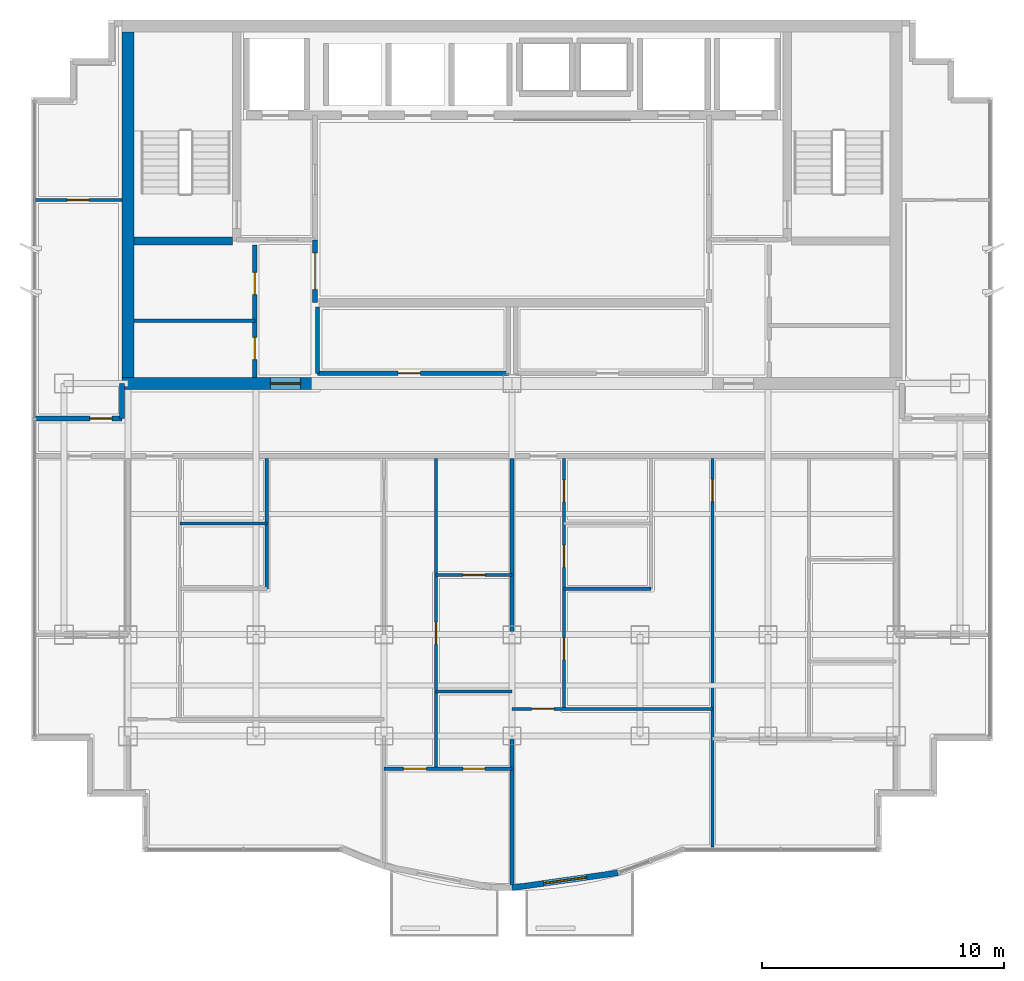
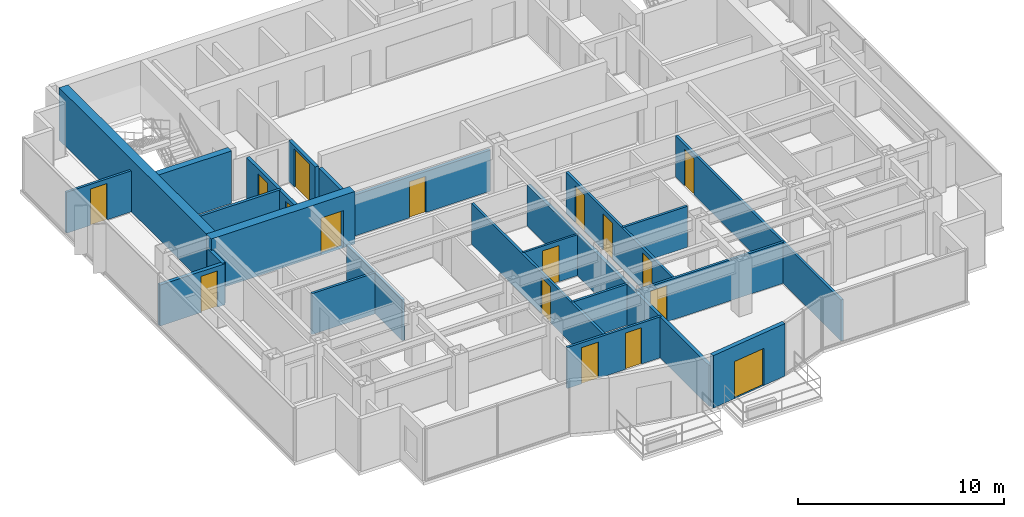
# One storey, part 7 of 12: 23 walls, 17 doors, 17 openings.
"""IFC4 building model written with IfcOpenShell, lengths in metres."""

from ifc_helpers import new_model, si_unit, direction, frame, frame_2d, origin, place, context, subcontext, project, spatial, rectangle, extrude, material, layer, layer_set, type_object, element, fill, save


model = new_model("IFC4")

# Units and contexts
model_context = context("Model", 3, precision=1e-05, world=origin(), true_north=direction((0.0, 1.0)))
body_context = subcontext(model_context, "Body", "Model", "MODEL_VIEW")
ifc_project = project(units=[si_unit("LENGTHUNIT", "METRE"), si_unit("AREAUNIT", "SQUARE_METRE"), si_unit("VOLUMEUNIT", "CUBIC_METRE"), si_unit("PLANEANGLEUNIT", "RADIAN"), si_unit("MASSUNIT", "GRAM", prefix="KILO")], contexts=[model_context])

# Site, building, storey
site_placement = place(None, origin())
site = spatial("IfcSite", under=ifc_project, at=site_placement, CompositionType="ELEMENT")
building_placement = place(site_placement, origin())
building = spatial("IfcBuilding", under=site, at=building_placement, Name="Qianlan Lanfeng Residences", CompositionType="ELEMENT")
storey_placement = place(building_placement, frame((0.0, 0.0, 219.800048828125)))
storey = spatial("IfcBuildingStorey", under=building, at=storey_placement, Name="L60", CompositionType="ELEMENT", Elevation=219.800048828125)

# Walls
ifc_material_1 = material(Name="Concrete C49", Category="concrete")
ifc_layer_1 = layer(ifc_material_1, 0.35009765625)
ifc_layer_set_1 = layer_set([ifc_layer_1], Name="Concrete C49")
wall_type_1 = type_object("IfcWallType", Name="CW-RC-350", PredefinedType="SHEAR", material=ifc_layer_set_1)
wall_1_placement = place(storey_placement, frame((10.85009765625, 31.10009765625, 0.0), z_axis=(0.0, 0.0, 1.0), x_axis=(1.0, 0.0, 0.0)))
element("IfcWall", 1, at=wall_1_placement, inside=storey, type_object=wall_type_1, Name="L60 Core Shear Wall ST1S", PredefinedType="SHEAR", context=body_context, shape_type="SweptSolid", body=[
    extrude(rectangle(XDim=4.074951171875, YDim=0.35009765625, at=frame_2d((2.03759765625, 0.0))), origin(), (0.0, 0.0, 1.0), 3.10986328125),
])
ifc_material_2 = material(Name="Concrete C70", Category="concrete")
ifc_layer_2 = layer(ifc_material_2, 0.5)
ifc_layer_set_2 = layer_set([ifc_layer_2], Name="Concrete C70")
wall_type_2 = type_object("IfcWallType", Name="CW-RC-500", PredefinedType="SHEAR", material=ifc_layer_set_2)
wall_2_placement = place(storey_placement, frame((10.60009765625, 25.449951171875, 0.0), z_axis=(0.0, 0.0, 1.0), x_axis=(0.0, 1.0, 0.0)))
element("IfcWall", 2, at=wall_2_placement, inside=storey, type_object=wall_type_2, Name="L60 Core Shear Wall W", PredefinedType="SHEAR", context=body_context, shape_type="SweptSolid", body=[
    extrude(rectangle(XDim=14.300048828125, YDim=0.5, at=frame_2d((7.14990234375, 0.0))), origin(), (0.0, 0.0, 1.0), 3.10986328125),
])

# Wall, opening, door
wall_3_placement = place(storey_placement, frame((10.35009765625, 25.199951171875, 0.0), z_axis=(0.0, 0.0, 1.0), x_axis=(1.0, 0.0, 0.0)))
wall_3 = element("IfcWall", 3, at=wall_3_placement, inside=storey, type_object=wall_type_2, Name="L60 Core Shear Wall SW", PredefinedType="SHEAR", context=body_context, shape_type="SweptSolid", body=[
    extrude(rectangle(XDim=8.0498046875, YDim=0.5, at=frame_2d((4.02490234375, 0.0))), origin(), (0.0, 0.0, 1.0), 3.10986328125),
])
opening_1_placement = place(wall_3_placement, frame((6.14990234375, 0.0, 0.0)))
opening_1 = element("IfcOpeningElement", 4, at=opening_1_placement, cuts=wall_3, Name="Opening L60-D01", PredefinedType="OPENING", context=body_context, shape_type="SweptSolid", body=[
    extrude(rectangle(XDim=1.25, YDim=2.199951171875, at=frame_2d((0.625, 1.10009765625))), frame((0.0, 0.260009765625, 0.0), z_axis=(0.0, -1.0, 0.0), x_axis=(1.0, 0.0, 0.0)), (0.0, 0.0, 1.0), 0.52001953125),
])
ifc_material_3 = material(Name="Painted Galvanised Steel Fire Door", Category="steel")
door_type_1 = type_object("IfcDoorType", Name="DT-FFL", OperationType="NOTDEFINED", PredefinedType="DOOR", material=ifc_material_3)
door_1_placement = place(opening_1_placement, origin())
door_1 = element("IfcDoor", 5, at=door_1_placement, inside=storey, type_object=door_type_1, Name="L60 West Core Lobby Smoke Door L60-D01 (DT-FFL)", OperationType="SINGLE_SWING_RIGHT", OverallHeight=2.199951171875, OverallWidth=1.25, PredefinedType="DOOR", context=body_context, shape_type="SweptSolid", body=[
    extrude(rectangle(XDim=1.25, YDim=2.199951171875, at=frame_2d((0.625, 1.10009765625))), frame((0.0, 0.02490234375, 0.0), z_axis=(0.0, -1.0, 0.0), x_axis=(1.0, 0.0, 0.0)), (0.0, 0.0, 1.0), 0.050048828125),
])
fill(opening_1, door_1)

ifc_material_4 = material(Name="Concrete C42", Category="concrete")
ifc_layer_3 = layer(ifc_material_4, 0.239990234375)
ifc_layer_set_3 = layer_set([ifc_layer_3], Name="Concrete C42")
wall_type_3 = type_object("IfcWallType", Name="EW-240", PredefinedType="SOLIDWALL", material=ifc_layer_set_3)
wall_4_placement = place(storey_placement, frame((26.5, 4.320068359375, 0.0), z_axis=(0.0, 0.0, 1.0), x_axis=(0.990156470874, 0.139964864115, 0.0)))
wall_4 = element("IfcWall", 6, at=wall_4_placement, inside=storey, type_object=wall_type_3, Name="L60 Terrace/Balcony Access Exterior Wall 8", PredefinedType="SOLIDWALL", context=body_context, shape_type="SweptSolid", body=[
    extrude(rectangle(XDim=4.435791015625, YDim=0.239990234375, at=frame_2d((2.2177734375, 0.0))), origin(), (0.0, 0.0, 1.0), 3.10986328125),
])
opening_2_placement = place(wall_4_placement, frame((1.318115234375, 0.0, 0.0)))
opening_2 = element("IfcOpeningElement", 7, at=opening_2_placement, cuts=wall_4, Name="Opening L60-D-SB-E", PredefinedType="OPENING", context=body_context, shape_type="SweptSolid", body=[
    extrude(rectangle(XDim=1.800048828125, YDim=2.199951171875, at=frame_2d((0.89990234375, 1.10009765625))), frame((0.0, 0.1298828125, 0.0), z_axis=(0.0, -1.0, 0.0), x_axis=(1.0, 0.0, 0.0)), (0.0, 0.0, 1.0), 0.260009765625),
])
ifc_material_5 = material(Name="Anodised Bronze Aluminium Framed Glass", Category="aluminium")
door_type_2 = type_object("IfcDoorType", Name="DT-BAL1", OperationType="NOTDEFINED", PredefinedType="DOOR", material=ifc_material_5)
door_2_placement = place(opening_2_placement, frame((1.800048828125, 0.0, 0.0), z_axis=(0.0, 0.0, 1.0), x_axis=(-1.0, 0.0, 0.0)))
door_2 = element("IfcDoor", 8, at=door_2_placement, inside=storey, type_object=door_type_2, Name="L60 Exterior Access Door SB-E", OperationType="DOUBLE_DOOR_SLIDING", OverallHeight=2.199951171875, OverallWidth=1.800048828125, PredefinedType="DOOR", context=body_context, shape_type="SweptSolid", body=[
    extrude(rectangle(XDim=1.800048828125, YDim=2.199951171875, at=frame_2d((0.89990234375, 1.10009765625))), frame((0.0, 0.02490234375, 0.0), z_axis=(0.0, -1.0, 0.0), x_axis=(1.0, 0.0, 0.0)), (0.0, 0.0, 1.0), 0.050048828125),
])
fill(opening_2, door_2)

ifc_material_6 = material(Name="Demountable Acoustic Framing Partition 110 mm")
ifc_layer_4 = layer(ifc_material_6, 0.110107421875)
ifc_layer_set_4 = layer_set([ifc_layer_4], Name="Demountable Acoustic Framing Partition 110 mm")
wall_type_4 = type_object("IfcWallType", Name="PW-110", PredefinedType="MOVABLE", material=ifc_layer_set_4)
wall_5_placement = place(storey_placement, frame((23.35009765625, 17.27392578125, 0.0), z_axis=(0.0, 0.0, 1.0), x_axis=(1.0, 0.0, 0.0)))
wall_5 = element("IfcWall", 9, at=wall_5_placement, inside=storey, type_object=wall_type_4, Name="L60 U01 Wardrobe Split", PredefinedType="MOVABLE", context=body_context, shape_type="SweptSolid", body=[
    extrude(rectangle(XDim=3.14990234375, YDim=0.110107421875, at=frame_2d((1.574951171875, 0.0))), origin(), (0.0, 0.0, 1.0), 2.429931640625),
])
opening_3_placement = place(wall_5_placement, frame((1.114990234375, 0.0, 0.0)))
opening_3 = element("IfcOpeningElement", 10, at=opening_3_placement, cuts=wall_5, Name="Opening L60-D26", PredefinedType="OPENING", context=body_context, shape_type="SweptSolid", body=[
    extrude(rectangle(XDim=0.919921875, YDim=2.14990234375, at=frame_2d((0.4599609375, 1.074951171875))), frame((0.0, 0.06494140625, 0.0), z_axis=(0.0, -1.0, 0.0), x_axis=(1.0, 0.0, 0.0)), (0.0, 0.0, 1.0), 0.130126953125),
])
ifc_material_7 = material(Name="Glazed Timber Kitchen/Study Door", Category="wood")
door_type_3 = type_object("IfcDoorType", Name="DT-INT", OperationType="NOTDEFINED", PredefinedType="DOOR", material=ifc_material_7)
door_3_placement = place(opening_3_placement, origin())
door_3 = element("IfcDoor", 11, at=door_3_placement, inside=storey, type_object=door_type_3, Name="L60 U01 Dressing Inner Door L60-D26 (DT-INT)", OperationType="SINGLE_SWING_LEFT", OverallHeight=2.14990234375, OverallWidth=0.919921875, PredefinedType="DOOR", context=body_context, shape_type="SweptSolid", body=[
    extrude(rectangle(XDim=0.919921875, YDim=2.14990234375, at=frame_2d((0.4599609375, 1.074951171875))), frame((0.0, 0.02490234375, 0.0), z_axis=(0.0, -1.0, 0.0), x_axis=(1.0, 0.0, 0.0)), (0.0, 0.0, 1.0), 0.050048828125),
])
fill(opening_3, door_3)

# Walls
ifc_material_8 = material(Name="Moisture-Resistant Gypsum Partition 135 mm")
ifc_layer_5 = layer(ifc_material_8, 0.135009765625)
ifc_layer_set_5 = layer_set([ifc_layer_5], Name="Moisture-Resistant Gypsum Partition 135 mm")
wall_type_5 = type_object("IfcWallType", Name="PW-135", PredefinedType="PARTITIONING", material=ifc_layer_set_5)
wall_6_placement = place(storey_placement, frame((16.35009765625, 16.699951171875, 0.0), z_axis=(0.0, 0.0, 1.0), x_axis=(0.0, 1.0, 0.0)))
element("IfcWall", 12, at=wall_6_placement, inside=storey, type_object=wall_type_5, Name="L60 U01 Dining East Wall", PredefinedType="PARTITIONING", context=body_context, shape_type="SweptSolid", body=[
    extrude(rectangle(XDim=5.400146484375, YDim=0.135009765625, at=frame_2d((2.7001953125, 0.0))), origin(), (0.0, 0.0, 1.0), 2.429931640625),
])
wall_7_placement = place(storey_placement, frame((12.75, 19.39990234375, 0.0), z_axis=(0.0, 0.0, 1.0), x_axis=(1.0, 0.0, 0.0)))
element("IfcWall", 13, at=wall_7_placement, inside=storey, type_object=wall_type_5, Name="L60 U01 Bathroom South Wall", PredefinedType="PARTITIONING", context=body_context, shape_type="SweptSolid", body=[
    extrude(rectangle(XDim=3.60009765625, YDim=0.135009765625, at=frame_2d((1.800048828125, 0.0))), origin(), (0.0, 0.0, 1.0), 2.429931640625),
])

# Wall, openings, doors
wall_8_placement = place(storey_placement, frame((21.199951171875, 9.248046875, 0.0), z_axis=(0.0, 0.0, 1.0), x_axis=(1.0, 0.0, 0.0)))
wall_8 = element("IfcWall", 14, at=wall_8_placement, inside=storey, type_object=wall_type_5, Name="L60 U01 Master Bedroom North Wall", PredefinedType="PARTITIONING", context=body_context, shape_type="SweptSolid", body=[
    extrude(rectangle(XDim=5.300048828125, YDim=0.135009765625, at=frame_2d((2.64990234375, 0.0))), origin(), (0.0, 0.0, 1.0), 2.429931640625),
])
opening_4_placement = place(wall_8_placement, frame((0.800048828125, 0.0, 0.0)))
opening_4 = element("IfcOpeningElement", 15, at=opening_4_placement, cuts=wall_8, Name="Opening L60-D23", PredefinedType="OPENING", context=body_context, shape_type="SweptSolid", body=[
    extrude(rectangle(XDim=0.949951171875, YDim=2.14990234375, at=frame_2d((0.47509765625, 1.074951171875))), frame((0.0, 0.07763671875, 0.0), z_axis=(0.0, -1.0, 0.0), x_axis=(1.0, 0.0, 0.0)), (0.0, 0.0, 1.0), 0.155029296875),
])
opening_5_placement = place(wall_8_placement, frame((3.27490234375, 0.0, 0.0)))
opening_5 = element("IfcOpeningElement", 16, at=opening_5_placement, cuts=wall_8, Name="Opening L60-D24", PredefinedType="OPENING", context=body_context, shape_type="SweptSolid", body=[
    extrude(rectangle(XDim=0.89990234375, YDim=2.14990234375, at=frame_2d((0.449951171875, 1.074951171875))), frame((0.0, 0.07763671875, 0.0), z_axis=(0.0, -1.0, 0.0), x_axis=(1.0, 0.0, 0.0)), (0.0, 0.0, 1.0), 0.155029296875),
])
ifc_material_9 = material(Name="Painted Solid-Core Timber Leaf", Category="wood")
door_type_4 = type_object("IfcDoorType", Name="DT-BED", OperationType="NOTDEFINED", PredefinedType="DOOR", material=ifc_material_9)
door_4_placement = place(opening_4_placement, origin())
door_4 = element("IfcDoor", 17, at=door_4_placement, inside=storey, type_object=door_type_4, Name="L60 U01 Master Bedroom Door L60-D23 (DT-BED)", OperationType="SINGLE_SWING_LEFT", OverallHeight=2.14990234375, OverallWidth=0.949951171875, PredefinedType="DOOR", context=body_context, shape_type="SweptSolid", body=[
    extrude(rectangle(XDim=0.949951171875, YDim=2.14990234375, at=frame_2d((0.47509765625, 1.074951171875))), frame((0.0, 0.02490234375, 0.0), z_axis=(0.0, -1.0, 0.0), x_axis=(1.0, 0.0, 0.0)), (0.0, 0.0, 1.0), 0.050048828125),
])
fill(opening_4, door_4)
ifc_material_10 = material(Name="Moisture-Resistant Timber Leaf", Category="wood")
door_type_5 = type_object("IfcDoorType", Name="DT-WC", OperationType="NOTDEFINED", PredefinedType="DOOR", material=ifc_material_10)
door_5_placement = place(opening_5_placement, origin())
door_5 = element("IfcDoor", 18, at=door_5_placement, inside=storey, type_object=door_type_5, Name="L60 U01 En-Suite Bathroom Door L60-D24 (DT-WC)", OperationType="SINGLE_SWING_LEFT", OverallHeight=2.14990234375, OverallWidth=0.89990234375, PredefinedType="DOOR", context=body_context, shape_type="SweptSolid", body=[
    extrude(rectangle(XDim=0.89990234375, YDim=2.14990234375, at=frame_2d((0.449951171875, 1.074951171875))), frame((0.0, 0.02490234375, 0.0), z_axis=(0.0, -1.0, 0.0), x_axis=(1.0, 0.0, 0.0)), (0.0, 0.0, 1.0), 0.050048828125),
])
fill(opening_5, door_5)

# Wall, opening, door
wall_9_placement = place(storey_placement, frame((23.35009765625, 9.248046875, 0.0), z_axis=(0.0, 0.0, 1.0), x_axis=(0.0, 1.0, 0.0)))
wall_9 = element("IfcWall", 19, at=wall_9_placement, inside=storey, type_object=wall_type_5, Name="L60 U01 Master Passage Wall", PredefinedType="PARTITIONING", context=body_context, shape_type="SweptSolid", body=[
    extrude(rectangle(XDim=12.85205078125, YDim=0.135009765625, at=frame_2d((6.426025390625, 0.0))), origin(), (0.0, 0.0, 1.0), 2.429931640625),
])
opening_6_placement = place(wall_9_placement, frame((5.153076171875, 0.0, 0.0)))
opening_6 = element("IfcOpeningElement", 20, at=opening_6_placement, cuts=wall_9, Name="Opening L60-D25", PredefinedType="OPENING", context=body_context, shape_type="SweptSolid", body=[
    extrude(rectangle(XDim=0.919921875, YDim=2.14990234375, at=frame_2d((0.4599609375, 1.074951171875))), frame((0.0, 0.07763671875, 0.0), z_axis=(0.0, -1.0, 0.0), x_axis=(1.0, 0.0, 0.0)), (0.0, 0.0, 1.0), 0.155029296875),
])
door_6_placement = place(opening_6_placement, origin())
door_6 = element("IfcDoor", 21, at=door_6_placement, inside=storey, type_object=door_type_3, Name="L60 U01 Wardrobe Door L60-D25 (DT-INT)", OperationType="SINGLE_SWING_RIGHT", OverallHeight=2.14990234375, OverallWidth=0.919921875, PredefinedType="DOOR", context=body_context, shape_type="SweptSolid", body=[
    extrude(rectangle(XDim=0.919921875, YDim=2.14990234375, at=frame_2d((0.4599609375, 1.074951171875))), frame((0.0, 0.02490234375, 0.0), z_axis=(0.0, -1.0, 0.0), x_axis=(1.0, 0.0, 0.0)), (0.0, 0.0, 1.0), 0.050048828125),
])
fill(opening_6, door_6)

# Wall
wall_10_placement = place(storey_placement, frame((23.35009765625, 12.447998046875, 0.0), z_axis=(0.0, 0.0, 1.0), x_axis=(1.0, 0.0, 0.0)))
element("IfcWall", 22, at=wall_10_placement, inside=storey, type_object=wall_type_5, Name="L60 U01 En-Suite North Wall", PredefinedType="PARTITIONING", context=body_context, shape_type="SweptSolid", body=[
    extrude(rectangle(XDim=3.14990234375, YDim=0.135009765625, at=frame_2d((1.574951171875, 0.0))), origin(), (0.0, 0.0, 1.0), 2.429931640625),
])

# Wall, opening, door
wall_11_placement = place(storey_placement, frame((34.800048828125, 6.02001953125, 0.0), z_axis=(0.0, 0.0, 1.0), x_axis=(0.0, 1.0, 0.0)))
wall_11 = element("IfcWall", 23, at=wall_11_placement, inside=storey, type_object=wall_type_5, Name="L60 U02 Bay Spine Wall 1", PredefinedType="PARTITIONING", context=body_context, shape_type="SweptSolid", body=[
    extrude(rectangle(XDim=16.080078125, YDim=0.135009765625, at=frame_2d((8.0400390625, 0.0))), origin(), (0.0, 0.0, 1.0), 2.429931640625),
])
opening_7_placement = place(wall_11_placement, frame((14.294921875, 0.0, 0.0)))
opening_7 = element("IfcOpeningElement", 24, at=opening_7_placement, cuts=wall_11, Name="Opening L60-D28", PredefinedType="OPENING", context=body_context, shape_type="SweptSolid", body=[
    extrude(rectangle(XDim=0.919921875, YDim=2.14990234375, at=frame_2d((0.4599609375, 1.074951171875))), frame((0.0, 0.07763671875, 0.0), z_axis=(0.0, -1.0, 0.0), x_axis=(1.0, 0.0, 0.0)), (0.0, 0.0, 1.0), 0.155029296875),
])
door_7_placement = place(opening_7_placement, origin())
door_7 = element("IfcDoor", 25, at=door_7_placement, inside=storey, type_object=door_type_3, Name="L60 U02 Internal Hall Door L60-D28 (DT-INT)", OperationType="SINGLE_SWING_LEFT", OverallHeight=2.14990234375, OverallWidth=0.919921875, PredefinedType="DOOR", context=body_context, shape_type="SweptSolid", body=[
    extrude(rectangle(XDim=0.919921875, YDim=2.14990234375, at=frame_2d((0.4599609375, 1.074951171875))), frame((0.0, 0.02490234375, 0.0), z_axis=(0.0, -1.0, 0.0), x_axis=(1.0, 0.0, 0.0)), (0.0, 0.0, 1.0), 0.050048828125),
])
fill(opening_7, door_7)

wall_12_placement = place(storey_placement, frame((26.5, 11.72900390625, 0.0), z_axis=(0.0, 0.0, 1.0), x_axis=(1.0, 0.0, 0.0)))
wall_12 = element("IfcWall", 26, at=wall_12_placement, inside=storey, type_object=wall_type_5, Name="L60 U02 Living Divider", PredefinedType="PARTITIONING", context=body_context, shape_type="SweptSolid", body=[
    extrude(rectangle(XDim=8.300048828125, YDim=0.135009765625, at=frame_2d((4.14990234375, 0.0))), origin(), (0.0, 0.0, 1.0), 2.429931640625),
])
opening_8_placement = place(wall_12_placement, frame((0.81494140625, 0.0, 0.0)))
opening_8 = element("IfcOpeningElement", 27, at=opening_8_placement, cuts=wall_12, Name="Opening L60-D29", PredefinedType="OPENING", context=body_context, shape_type="SweptSolid", body=[
    extrude(rectangle(XDim=0.919921875, YDim=2.14990234375, at=frame_2d((0.4599609375, 1.074951171875))), frame((0.0, 0.07763671875, 0.0), z_axis=(0.0, -1.0, 0.0), x_axis=(1.0, 0.0, 0.0)), (0.0, 0.0, 1.0), 0.155029296875),
])
door_8_placement = place(opening_8_placement, origin())
door_8 = element("IfcDoor", 28, at=door_8_placement, inside=storey, type_object=door_type_3, Name="L60 U02 Living Passage Door L60-D29 (DT-INT)", OperationType="SINGLE_SWING_LEFT", OverallHeight=2.14990234375, OverallWidth=0.919921875, PredefinedType="DOOR", context=body_context, shape_type="SweptSolid", body=[
    extrude(rectangle(XDim=0.919921875, YDim=2.14990234375, at=frame_2d((0.4599609375, 1.074951171875))), frame((0.0, 0.02490234375, 0.0), z_axis=(0.0, -1.0, 0.0), x_axis=(1.0, 0.0, 0.0)), (0.0, 0.0, 1.0), 0.050048828125),
])
fill(opening_8, door_8)

# Wall, openings, doors
wall_13_placement = place(storey_placement, frame((28.64990234375, 11.72900390625, 0.0), z_axis=(0.0, 0.0, 1.0), x_axis=(0.0, 1.0, 0.0)))
wall_13 = element("IfcWall", 29, at=wall_13_placement, inside=storey, type_object=wall_type_5, Name="L60 U02 Entry Hall Spine", PredefinedType="PARTITIONING", context=body_context, shape_type="SweptSolid", body=[
    extrude(rectangle(XDim=10.37109375, YDim=0.135009765625, at=frame_2d((5.185546875, 0.0))), origin(), (0.0, 0.0, 1.0), 2.429931640625),
])
opening_9_placement = place(wall_13_placement, frame((2.02587890625, 0.0, 0.0)))
opening_9 = element("IfcOpeningElement", 30, at=opening_9_placement, cuts=wall_13, Name="Opening L60-D30", PredefinedType="OPENING", context=body_context, shape_type="SweptSolid", body=[
    extrude(rectangle(XDim=0.919921875, YDim=2.14990234375, at=frame_2d((0.4599609375, 1.074951171875))), frame((0.0, 0.07763671875, 0.0), z_axis=(0.0, -1.0, 0.0), x_axis=(1.0, 0.0, 0.0)), (0.0, 0.0, 1.0), 0.155029296875),
])
opening_10_placement = place(wall_13_placement, frame((5.861083984375, 0.0, 0.0)))
opening_10 = element("IfcOpeningElement", 31, at=opening_10_placement, cuts=wall_13, Name="Opening L60-D31", PredefinedType="OPENING", context=body_context, shape_type="SweptSolid", body=[
    extrude(rectangle(XDim=0.919921875, YDim=2.14990234375, at=frame_2d((0.4599609375, 1.074951171875))), frame((0.0, 0.07763671875, 0.0), z_axis=(0.0, -1.0, 0.0), x_axis=(1.0, 0.0, 0.0)), (0.0, 0.0, 1.0), 0.155029296875),
])
opening_11_placement = place(wall_13_placement, frame((8.571044921875, 0.0, 0.0)))
opening_11 = element("IfcOpeningElement", 32, at=opening_11_placement, cuts=wall_13, Name="Opening L60-D32", PredefinedType="OPENING", context=body_context, shape_type="SweptSolid", body=[
    extrude(rectangle(XDim=0.89990234375, YDim=2.14990234375, at=frame_2d((0.449951171875, 1.074951171875))), frame((0.0, 0.07763671875, 0.0), z_axis=(0.0, -1.0, 0.0), x_axis=(1.0, 0.0, 0.0)), (0.0, 0.0, 1.0), 0.155029296875),
])
door_9_placement = place(opening_9_placement, origin())
door_9 = element("IfcDoor", 33, at=door_9_placement, inside=storey, type_object=door_type_3, Name="L60 U02 Study Door L60-D30 (DT-INT)", OperationType="SINGLE_SWING_LEFT", OverallHeight=2.14990234375, OverallWidth=0.919921875, PredefinedType="DOOR", context=body_context, shape_type="SweptSolid", body=[
    extrude(rectangle(XDim=0.919921875, YDim=2.14990234375, at=frame_2d((0.4599609375, 1.074951171875))), frame((0.0, 0.02490234375, 0.0), z_axis=(0.0, -1.0, 0.0), x_axis=(1.0, 0.0, 0.0)), (0.0, 0.0, 1.0), 0.050048828125),
])
fill(opening_9, door_9)
door_10_placement = place(opening_10_placement, origin())
door_10 = element("IfcDoor", 34, at=door_10_placement, inside=storey, type_object=door_type_3, Name="L60 U02 Kitchen Door L60-D31 (DT-INT)", OperationType="SINGLE_SWING_RIGHT", OverallHeight=2.14990234375, OverallWidth=0.919921875, PredefinedType="DOOR", context=body_context, shape_type="SweptSolid", body=[
    extrude(rectangle(XDim=0.919921875, YDim=2.14990234375, at=frame_2d((0.4599609375, 1.074951171875))), frame((0.0, 0.02490234375, 0.0), z_axis=(0.0, -1.0, 0.0), x_axis=(1.0, 0.0, 0.0)), (0.0, 0.0, 1.0), 0.050048828125),
])
fill(opening_10, door_10)
door_11_placement = place(opening_11_placement, origin())
door_11 = element("IfcDoor", 35, at=door_11_placement, inside=storey, type_object=door_type_5, Name="L60 U02 Bathroom Door L60-D32 (DT-WC)", OperationType="SINGLE_SWING_LEFT", OverallHeight=2.14990234375, OverallWidth=0.89990234375, PredefinedType="DOOR", context=body_context, shape_type="SweptSolid", body=[
    extrude(rectangle(XDim=0.89990234375, YDim=2.14990234375, at=frame_2d((0.449951171875, 1.074951171875))), frame((0.0, 0.02490234375, 0.0), z_axis=(0.0, -1.0, 0.0), x_axis=(1.0, 0.0, 0.0)), (0.0, 0.0, 1.0), 0.050048828125),
])
fill(opening_11, door_11)

# Wall
wall_14_placement = place(storey_placement, frame((28.64990234375, 16.699951171875, 0.0), z_axis=(0.0, 0.0, 1.0), x_axis=(1.0, 0.0, 0.0)))
element("IfcWall", 36, at=wall_14_placement, inside=storey, type_object=wall_type_5, Name="L60 U02 Kitchen South Wall", PredefinedType="PARTITIONING", context=body_context, shape_type="SweptSolid", body=[
    extrude(rectangle(XDim=3.60009765625, YDim=0.135009765625, at=frame_2d((1.800048828125, 0.0))), origin(), (0.0, 0.0, 1.0), 2.429931640625),
])

# Wall, opening, door
wall_15_placement = place(storey_placement, frame((6.719970703125, 32.800048828125, 0.0), z_axis=(0.0, 0.0, 1.0), x_axis=(1.0, 0.0, 0.0)))
wall_15 = element("IfcWall", 37, at=wall_15_placement, inside=storey, type_object=wall_type_5, Name="L60 WW North Wing Wall", PredefinedType="PARTITIONING", context=body_context, shape_type="SweptSolid", body=[
    extrude(rectangle(XDim=3.630126953125, YDim=0.135009765625, at=frame_2d((1.81494140625, 0.0))), origin(), (0.0, 0.0, 1.0), 2.429931640625),
])
opening_12_placement = place(wall_15_placement, frame((1.35498046875, 0.0, 0.0)))
opening_12 = element("IfcOpeningElement", 38, at=opening_12_placement, cuts=wall_15, Name="Opening L60-D41", PredefinedType="OPENING", context=body_context, shape_type="SweptSolid", body=[
    extrude(rectangle(XDim=0.919921875, YDim=2.14990234375, at=frame_2d((0.4599609375, 1.074951171875))), frame((0.0, 0.07763671875, 0.0), z_axis=(0.0, -1.0, 0.0), x_axis=(1.0, 0.0, 0.0)), (0.0, 0.0, 1.0), 0.155029296875),
])
door_12_placement = place(opening_12_placement, origin())
door_12 = element("IfcDoor", 39, at=door_12_placement, inside=storey, type_object=door_type_3, Name="L60 WW Inner Salon Door L60-D41 (DT-INT)", OperationType="SINGLE_SWING_RIGHT", OverallHeight=2.14990234375, OverallWidth=0.919921875, PredefinedType="DOOR", context=body_context, shape_type="SweptSolid", body=[
    extrude(rectangle(XDim=0.919921875, YDim=2.14990234375, at=frame_2d((0.4599609375, 1.074951171875))), frame((0.0, 0.02490234375, 0.0), z_axis=(0.0, -1.0, 0.0), x_axis=(1.0, 0.0, 0.0)), (0.0, 0.0, 1.0), 0.050048828125),
])
fill(opening_12, door_12)

# Wall
ifc_material_11 = material(Name="Acoustic Drywall Partition 150 mm")
ifc_layer_6 = layer(ifc_material_11, 0.14990234375)
ifc_layer_set_6 = layer_set([ifc_layer_6], Name="Acoustic Drywall Partition 150 mm")
wall_type_6 = type_object("IfcWallType", Name="PW-150", PredefinedType="PARTITIONING", material=ifc_layer_set_6)
wall_16_placement = place(storey_placement, frame((10.85009765625, 27.800048828125, 0.0), z_axis=(0.0, 0.0, 1.0), x_axis=(1.0, 0.0, 0.0)))
element("IfcWall", 40, at=wall_16_placement, inside=storey, type_object=wall_type_6, Name="L60 Core West Split", PredefinedType="PARTITIONING", context=body_context, shape_type="SweptSolid", body=[
    extrude(rectangle(XDim=5.0, YDim=0.14990234375, at=frame_2d((2.5, 0.0))), origin(), (0.0, 0.0, 1.0), 2.429931640625),
])

# Wall, openings, doors
ifc_material_12 = material(Name="Double-Layer Acoustic Gypsum Stud Wall 180 mm")
ifc_layer_7 = layer(ifc_material_12, 0.179931640625)
ifc_layer_set_7 = layer_set([ifc_layer_7], Name="Double-Layer Acoustic Gypsum Stud Wall 180 mm")
wall_type_7 = type_object("IfcWallType", Name="PW-180", PredefinedType="PARTITIONING", material=ifc_layer_set_7)
wall_17_placement = place(storey_placement, frame((15.85009765625, 25.449951171875, 0.0), z_axis=(0.0, 0.0, 1.0), x_axis=(0.0, 1.0, 0.0)))
wall_17 = element("IfcWall", 41, at=wall_17_placement, inside=storey, type_object=wall_type_7, Name="L60 Core West Service Room Wall", PredefinedType="PARTITIONING", context=body_context, shape_type="SweptSolid", body=[
    extrude(rectangle(XDim=5.47509765625, YDim=0.179931640625, at=frame_2d((2.737548828125, 0.0))), origin(), (0.0, 0.0, 1.0), 2.429931640625),
])
opening_13_placement = place(wall_17_placement, frame((0.739990234375, 0.0, 0.0)))
opening_13 = element("IfcOpeningElement", 42, at=opening_13_placement, cuts=wall_17, Name="Opening L60-D09", PredefinedType="OPENING", context=body_context, shape_type="SweptSolid", body=[
    extrude(rectangle(XDim=0.919921875, YDim=2.14990234375, at=frame_2d((0.4599609375, 1.074951171875))), frame((0.0, 0.10009765625, 0.0), z_axis=(0.0, -1.0, 0.0), x_axis=(1.0, 0.0, 0.0)), (0.0, 0.0, 1.0), 0.199951171875),
])
opening_14_placement = place(wall_17_placement, frame((3.427001953125, 0.0, 0.0)))
opening_14 = element("IfcOpeningElement", 43, at=opening_14_placement, cuts=wall_17, Name="Opening L60-D10", PredefinedType="OPENING", context=body_context, shape_type="SweptSolid", body=[
    extrude(rectangle(XDim=0.919921875, YDim=2.14990234375, at=frame_2d((0.4599609375, 1.074951171875))), frame((0.0, 0.10009765625, 0.0), z_axis=(0.0, -1.0, 0.0), x_axis=(1.0, 0.0, 0.0)), (0.0, 0.0, 1.0), 0.199951171875),
])
door_13_placement = place(opening_13_placement, origin())
door_13 = element("IfcDoor", 44, at=door_13_placement, inside=storey, type_object=door_type_3, Name="L60 Parcel Room Door L60-D09 (DT-INT)", OperationType="SINGLE_SWING_LEFT", OverallHeight=2.14990234375, OverallWidth=0.919921875, PredefinedType="DOOR", context=body_context, shape_type="SweptSolid", body=[
    extrude(rectangle(XDim=0.919921875, YDim=2.14990234375, at=frame_2d((0.4599609375, 1.074951171875))), frame((0.0, 0.02490234375, 0.0), z_axis=(0.0, -1.0, 0.0), x_axis=(1.0, 0.0, 0.0)), (0.0, 0.0, 1.0), 0.050048828125),
])
fill(opening_13, door_13)
door_14_placement = place(opening_14_placement, origin())
door_14 = element("IfcDoor", 45, at=door_14_placement, inside=storey, type_object=door_type_3, Name="L60 Janitor Closet Door L60-D10 (DT-INT)", OperationType="SINGLE_SWING_LEFT", OverallHeight=2.14990234375, OverallWidth=0.919921875, PredefinedType="DOOR", context=body_context, shape_type="SweptSolid", body=[
    extrude(rectangle(XDim=0.919921875, YDim=2.14990234375, at=frame_2d((0.4599609375, 1.074951171875))), frame((0.0, 0.02490234375, 0.0), z_axis=(0.0, -1.0, 0.0), x_axis=(1.0, 0.0, 0.0)), (0.0, 0.0, 1.0), 0.050048828125),
])
fill(opening_14, door_14)

# Wall
wall_18_placement = place(storey_placement, frame((18.449951171875, 25.6201171875, 0.0), z_axis=(0.0, 0.0, 1.0), x_axis=(0.0, 1.0, 0.0)))
element("IfcWall", 46, at=wall_18_placement, inside=storey, type_object=wall_type_7, Name="L60 Reclaimed Low-Bank Room West Wall", PredefinedType="PARTITIONING", context=body_context, shape_type="SweptSolid", body=[
    extrude(rectangle(XDim=2.7548828125, YDim=0.179931640625, at=frame_2d((1.37744140625, 0.0))), origin(), (0.0, 0.0, 1.0), 2.429931640625),
])

# Wall, opening, door
wall_19_placement = place(storey_placement, frame((18.449951171875, 25.6201171875, 0.0), z_axis=(0.0, 0.0, 1.0), x_axis=(1.0, 0.0, 0.0)))
wall_19 = element("IfcWall", 47, at=wall_19_placement, inside=storey, type_object=wall_type_7, Name="L60 Reclaimed Low-Bank Room South Wall", PredefinedType="PARTITIONING", context=body_context, shape_type="SweptSolid", body=[
    extrude(rectangle(XDim=7.900146484375, YDim=0.179931640625, at=frame_2d((3.9501953125, 0.0))), origin(), (0.0, 0.0, 1.0), 2.429931640625),
])
opening_15_placement = place(wall_19_placement, frame((3.340087890625, 0.0, 0.0)))
opening_15 = element("IfcOpeningElement", 48, at=opening_15_placement, cuts=wall_19, Name="Opening L60-D15", PredefinedType="OPENING", context=body_context, shape_type="SweptSolid", body=[
    extrude(rectangle(XDim=0.919921875, YDim=2.14990234375, at=frame_2d((0.4599609375, 1.074951171875))), frame((0.0, 0.10009765625, 0.0), z_axis=(0.0, -1.0, 0.0), x_axis=(1.0, 0.0, 0.0)), (0.0, 0.0, 1.0), 0.199951171875),
])
door_15_placement = place(opening_15_placement, origin())
door_15 = element("IfcDoor", 49, at=door_15_placement, inside=storey, type_object=door_type_3, Name="L60 Reclaimed Core Salon Door L60-D15 (DT-INT)", OperationType="SINGLE_SWING_RIGHT", OverallHeight=2.14990234375, OverallWidth=0.919921875, PredefinedType="DOOR", context=body_context, shape_type="SweptSolid", body=[
    extrude(rectangle(XDim=0.919921875, YDim=2.14990234375, at=frame_2d((0.4599609375, 1.074951171875))), frame((0.0, 0.02490234375, 0.0), z_axis=(0.0, -1.0, 0.0), x_axis=(1.0, 0.0, 0.0)), (0.0, 0.0, 1.0), 0.050048828125),
])
fill(opening_15, door_15)

# Wall
wall_20_placement = place(storey_placement, frame((26.5, 4.419921875, 0.0), z_axis=(0.0, 0.0, 1.0), x_axis=(0.0, 1.0, 0.0)))
element("IfcWall", 50, at=wall_20_placement, inside=storey, type_object=wall_type_7, Name="L60 Inter-Tenancy Party Wall 2", PredefinedType="PARTITIONING", context=body_context, shape_type="SweptSolid", body=[
    extrude(rectangle(XDim=17.68017578125, YDim=0.179931640625, at=frame_2d((8.840087890625, 0.0))), origin(), (0.0, 0.0, 1.0), 2.429931640625),
])

# Wall, opening, door
ifc_material_13 = material(Name="Autoclaved Aerated Concrete Blockwork 200 mm", Category="masonry")
ifc_layer_8 = layer(ifc_material_13, 0.199951171875)
ifc_layer_set_8 = layer_set([ifc_layer_8], Name="Autoclaved Aerated Concrete Blockwork 200 mm")
wall_type_8 = type_object("IfcWallType", Name="PW-200", PredefinedType="PARTITIONING", material=ifc_layer_set_8)
wall_21_placement = place(storey_placement, frame((18.35009765625, 28.550048828125, 0.0), z_axis=(0.0, 0.0, 1.0), x_axis=(0.0, 1.0, 0.0)))
wall_21 = element("IfcWall", 51, at=wall_21_placement, inside=storey, type_object=wall_type_8, Name="L60 Lift Lobby West Connector Wall", PredefinedType="PARTITIONING", context=body_context, shape_type="SweptSolid", body=[
    extrude(rectangle(XDim=2.599853515625, YDim=0.199951171875, at=frame_2d((1.2998046875, 0.0))), origin(), (0.0, 0.0, 1.0), 2.429931640625),
])
opening_16_placement = place(wall_21_placement, frame((0.550048828125, 0.0, 0.0)))
opening_16 = element("IfcOpeningElement", 52, at=opening_16_placement, cuts=wall_21, Name="Opening L60-D13", PredefinedType="OPENING", context=body_context, shape_type="SweptSolid", body=[
    extrude(rectangle(XDim=1.5, YDim=2.25, at=frame_2d((0.75, 1.125))), frame((0.0, 0.10986328125, 0.0), z_axis=(0.0, -1.0, 0.0), x_axis=(1.0, 0.0, 0.0)), (0.0, 0.0, 1.0), 0.219970703125),
])
ifc_material_14 = material(Name="Timber Veneer Acoustic Fire Door", Category="wood")
door_type_6 = type_object("IfcDoorType", Name="DT-COR1", OperationType="NOTDEFINED", PredefinedType="DOOR", material=ifc_material_14)
door_16_placement = place(opening_16_placement, origin())
door_16 = element("IfcDoor", 53, at=door_16_placement, inside=storey, type_object=door_type_6, Name="L60 Lift Lobby West Portal Door L60-D13 (DT-COR1)", OperationType="DOUBLE_DOOR_SINGLE_SWING", OverallHeight=2.25, OverallWidth=1.5, PredefinedType="DOOR", context=body_context, shape_type="SweptSolid", body=[
    extrude(rectangle(XDim=1.5, YDim=2.25, at=frame_2d((0.75, 1.125))), frame((0.0, 0.02490234375, 0.0), z_axis=(0.0, -1.0, 0.0), x_axis=(1.0, 0.0, 0.0)), (0.0, 0.0, 1.0), 0.050048828125),
])
fill(opening_16, door_16)

wall_22_placement = place(storey_placement, frame((6.719970703125, 23.75, 0.0), z_axis=(0.0, 0.0, 1.0), x_axis=(1.0, 0.0, 0.0)))
wall_22 = element("IfcWall", 54, at=wall_22_placement, inside=storey, type_object=wall_type_8, Name="L60 Corridor NW Wall", PredefinedType="PARTITIONING", context=body_context, shape_type="SweptSolid", body=[
    extrude(rectangle(XDim=3.630126953125, YDim=0.199951171875, at=frame_2d((1.81494140625, 0.0))), origin(), (0.0, 0.0, 1.0), 2.429931640625),
])
opening_17_placement = place(wall_22_placement, frame((2.304931640625, 0.0, 0.0)))
opening_17 = element("IfcOpeningElement", 55, at=opening_17_placement, cuts=wall_22, Name="Opening L60-D42", PredefinedType="OPENING", context=body_context, shape_type="SweptSolid", body=[
    extrude(rectangle(XDim=0.919921875, YDim=2.14990234375, at=frame_2d((0.4599609375, 1.074951171875))), frame((0.0, 0.10986328125, 0.0), z_axis=(0.0, -1.0, 0.0), x_axis=(1.0, 0.0, 0.0)), (0.0, 0.0, 1.0), 0.219970703125),
])
door_17_placement = place(opening_17_placement, origin())
door_17 = element("IfcDoor", 56, at=door_17_placement, inside=storey, type_object=door_type_3, Name="L60 WW Amenity Salon Door L60-D42 (DT-INT)", OperationType="SINGLE_SWING_LEFT", OverallHeight=2.14990234375, OverallWidth=0.919921875, PredefinedType="DOOR", context=body_context, shape_type="SweptSolid", body=[
    extrude(rectangle(XDim=0.919921875, YDim=2.14990234375, at=frame_2d((0.4599609375, 1.074951171875))), frame((0.0, 0.02490234375, 0.0), z_axis=(0.0, -1.0, 0.0), x_axis=(1.0, 0.0, 0.0)), (0.0, 0.0, 1.0), 0.050048828125),
])
fill(opening_17, door_17)

# Wall
wall_23_placement = place(storey_placement, frame((10.35009765625, 23.75, 0.0), z_axis=(0.0, 0.0, 1.0), x_axis=(0.0, 1.0, 0.0)))
element("IfcWall", 57, at=wall_23_placement, inside=storey, type_object=wall_type_8, Name="L60 NW Wing Core Return Wall", PredefinedType="PARTITIONING", context=body_context, shape_type="SweptSolid", body=[
    extrude(rectangle(XDim=1.449951171875, YDim=0.199951171875, at=frame_2d((0.72509765625, 0.0))), origin(), (0.0, 0.0, 1.0), 2.429931640625),
])

save(model, "model.ifc")
